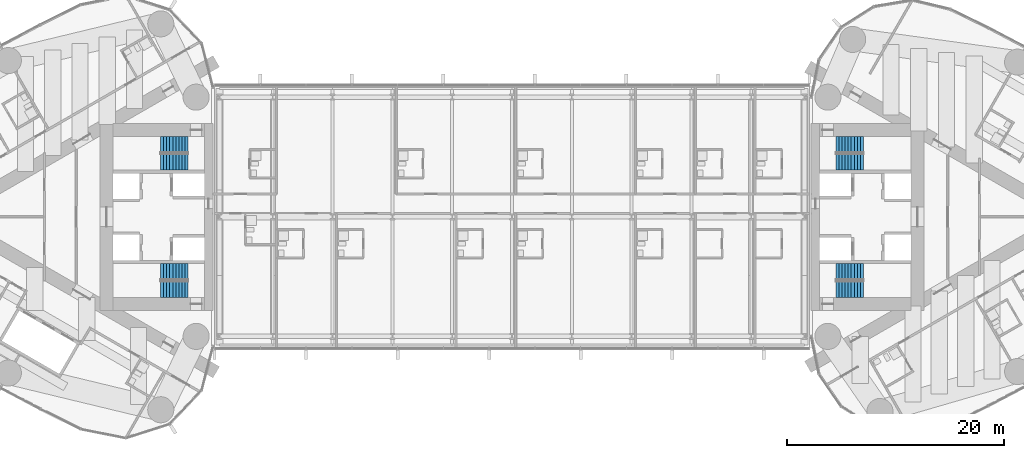
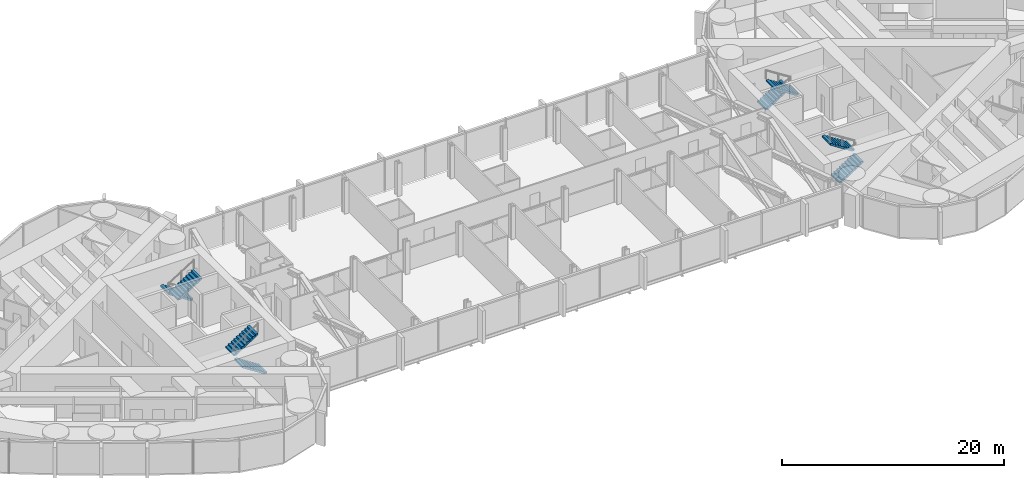
# One storey, part 22 of 24: 8 stair flights, 4 elements without a shape of their own.
"""IFC4 building model written with IfcOpenShell, lengths in metres."""

from ifc_helpers import new_model, si_unit, direction, frame, origin, place, context, subcontext, project, spatial, polyline, outline, extrude, material, type_object, element, aggregate, save


model = new_model("IFC4")

# Units and contexts
model_context = context("Model", 3, precision=1e-05, world=origin(), true_north=direction((0.0, 1.0)))
body_context = subcontext(model_context, "Body", "Model", "MODEL_VIEW")
ifc_project = project(units=[si_unit("LENGTHUNIT", "METRE"), si_unit("AREAUNIT", "SQUARE_METRE"), si_unit("VOLUMEUNIT", "CUBIC_METRE"), si_unit("PLANEANGLEUNIT", "RADIAN"), si_unit("MASSUNIT", "GRAM", prefix="KILO")], contexts=[model_context])

# Site, building, storey
site_placement = place(None, origin())
site = spatial("IfcSite", under=ifc_project, at=site_placement, CompositionType="ELEMENT")
building_placement = place(site_placement, origin())
building = spatial("IfcBuilding", under=site, at=building_placement, Name="Lancet Gate Hotel", CompositionType="ELEMENT")
storey_placement = place(building_placement, frame((0.0, 0.0, 236.89990234375)))
storey = spatial("IfcBuildingStorey", under=building, at=storey_placement, Name="L63", CompositionType="ELEMENT", Elevation=236.89990234375)

# Stair, stair flights
ifc_material_1 = material(Name="Exit stair 20 risers 1500")
stair_type = type_object("IfcStairType", Name="Exit stair 20 risers 1500", PredefinedType="HALF_TURN_STAIR", material=ifc_material_1)
stair_1_placement = place(storey_placement, origin())
stair_1 = element("IfcStair", 1, at=stair_1_placement, inside=storey, type_object=stair_type, Name="T1 stair 1 L63", PredefinedType="HALF_TURN_STAIR")
ifc_material_2 = material(Name="Stair flight 10 risers 180 rise 1500")
stair_flight_type = type_object("IfcStairFlightType", Name="Stair flight 10 risers 180 rise 1500", PredefinedType="STRAIGHT", material=ifc_material_2)
stair_flight_1_placement = place(storey_placement, frame((-29.800048828125, 6.64990234375, 0.0), z_axis=(0.0, 0.0, 1.0), x_axis=(-1.0, 0.0, 0.0)))
stair_flight_1 = element("IfcStairFlight", 2, at=stair_flight_1_placement, type_object=stair_flight_type, Name="ST1 flight 1", NumberOfRisers=10, NumberOfTreads=9, PredefinedType="STRAIGHT", RiserHeight=0.18, TreadLength=0.28, context=body_context, shape_type="SweptSolid", body=[
    extrude(outline(polyline([(0.0, 0.0), (0.0, 0.179931640625), (0.280029296875, 0.179931640625), (0.280029296875, 0.360107421875), (0.56005859375, 0.360107421875), (0.56005859375, 0.5400390625), (0.840087890625, 0.5400390625), (0.840087890625, 0.719970703125), (1.1201171875, 0.719970703125), (1.1201171875, 0.89990234375), (1.39990234375, 0.89990234375), (1.39990234375, 1.080078125), (1.679931640625, 1.080078125), (1.679931640625, 1.260009765625), (1.9599609375, 1.260009765625), (1.9599609375, 1.43994140625), (2.239990234375, 1.43994140625), (2.239990234375, 1.6201171875), (2.52001953125, 1.6201171875), (2.52001953125, 1.800048828125), (2.52001953125, 1.44189453125), (0.277099609375, 0.0), (0.0, 0.0)])), frame((0.0, 0.75, 0.0), z_axis=(0.0, -1.0, 0.0), x_axis=(1.0, 0.0, 0.0)), (0.0, 0.0, 1.0), 1.5),
])
stair_flight_2_placement = place(storey_placement, frame((-32.320068359375, 5.050048828125, 1.800048828125), z_axis=(0.0, 0.0, 1.0), x_axis=(1.0, 0.0, 0.0)))
stair_flight_2 = element("IfcStairFlight", 3, at=stair_flight_2_placement, type_object=stair_flight_type, Name="ST1 flight 2", NumberOfRisers=10, NumberOfTreads=9, PredefinedType="STRAIGHT", RiserHeight=0.18, TreadLength=0.28, context=body_context, shape_type="SweptSolid", body=[
    extrude(outline(polyline([(0.0, 0.0), (0.0, 0.179931640625), (0.280029296875, 0.179931640625), (0.280029296875, 0.360107421875), (0.56005859375, 0.360107421875), (0.56005859375, 0.5400390625), (0.840087890625, 0.5400390625), (0.840087890625, 0.719970703125), (1.1201171875, 0.719970703125), (1.1201171875, 0.89990234375), (1.39990234375, 0.89990234375), (1.39990234375, 1.080078125), (1.679931640625, 1.080078125), (1.679931640625, 1.260009765625), (1.9599609375, 1.260009765625), (1.9599609375, 1.43994140625), (2.239990234375, 1.43994140625), (2.239990234375, 1.6201171875), (2.52001953125, 1.6201171875), (2.52001953125, 1.800048828125), (2.52001953125, 1.44189453125), (0.277099609375, 0.0), (0.0, 0.0)])), frame((0.0, 0.75, 0.0), z_axis=(0.0, -1.0, 0.0), x_axis=(1.0, 0.0, 0.0)), (0.0, 0.0, 1.0), 1.5),
])
aggregate(stair_1, [stair_flight_1, stair_flight_2])

stair_2_placement = place(storey_placement, origin())
stair_2 = element("IfcStair", 4, at=stair_2_placement, inside=storey, type_object=stair_type, Name="T1 stair 2 L63", PredefinedType="HALF_TURN_STAIR")
stair_flight_3_placement = place(storey_placement, frame((-29.800048828125, -6.64990234375, 0.0), z_axis=(0.0, 0.0, 1.0), x_axis=(-1.0, 0.0, 0.0)))
stair_flight_3 = element("IfcStairFlight", 5, at=stair_flight_3_placement, type_object=stair_flight_type, Name="ST2 flight 1", NumberOfRisers=10, NumberOfTreads=9, PredefinedType="STRAIGHT", RiserHeight=0.18, TreadLength=0.28, context=body_context, shape_type="SweptSolid", body=[
    extrude(outline(polyline([(0.0, 0.0), (0.0, 0.179931640625), (0.280029296875, 0.179931640625), (0.280029296875, 0.360107421875), (0.56005859375, 0.360107421875), (0.56005859375, 0.5400390625), (0.840087890625, 0.5400390625), (0.840087890625, 0.719970703125), (1.1201171875, 0.719970703125), (1.1201171875, 0.89990234375), (1.39990234375, 0.89990234375), (1.39990234375, 1.080078125), (1.679931640625, 1.080078125), (1.679931640625, 1.260009765625), (1.9599609375, 1.260009765625), (1.9599609375, 1.43994140625), (2.239990234375, 1.43994140625), (2.239990234375, 1.6201171875), (2.52001953125, 1.6201171875), (2.52001953125, 1.800048828125), (2.52001953125, 1.44189453125), (0.277099609375, 0.0), (0.0, 0.0)])), frame((0.0, 0.75, 0.0), z_axis=(0.0, -1.0, 0.0), x_axis=(1.0, 0.0, 0.0)), (0.0, 0.0, 1.0), 1.5),
])
stair_flight_4_placement = place(storey_placement, frame((-32.320068359375, -5.050048828125, 1.800048828125), z_axis=(0.0, 0.0, 1.0), x_axis=(1.0, 0.0, 0.0)))
stair_flight_4 = element("IfcStairFlight", 6, at=stair_flight_4_placement, type_object=stair_flight_type, Name="ST2 flight 2", NumberOfRisers=10, NumberOfTreads=9, PredefinedType="STRAIGHT", RiserHeight=0.18, TreadLength=0.28, context=body_context, shape_type="SweptSolid", body=[
    extrude(outline(polyline([(0.0, 0.0), (0.0, 0.179931640625), (0.280029296875, 0.179931640625), (0.280029296875, 0.360107421875), (0.56005859375, 0.360107421875), (0.56005859375, 0.5400390625), (0.840087890625, 0.5400390625), (0.840087890625, 0.719970703125), (1.1201171875, 0.719970703125), (1.1201171875, 0.89990234375), (1.39990234375, 0.89990234375), (1.39990234375, 1.080078125), (1.679931640625, 1.080078125), (1.679931640625, 1.260009765625), (1.9599609375, 1.260009765625), (1.9599609375, 1.43994140625), (2.239990234375, 1.43994140625), (2.239990234375, 1.6201171875), (2.52001953125, 1.6201171875), (2.52001953125, 1.800048828125), (2.52001953125, 1.44189453125), (0.277099609375, 0.0), (0.0, 0.0)])), frame((0.0, 0.75, 0.0), z_axis=(0.0, -1.0, 0.0), x_axis=(1.0, 0.0, 0.0)), (0.0, 0.0, 1.0), 1.5),
])
aggregate(stair_2, [stair_flight_3, stair_flight_4])

stair_3_placement = place(storey_placement, origin())
stair_3 = element("IfcStair", 7, at=stair_3_placement, inside=storey, type_object=stair_type, Name="T2 stair 1 L63", PredefinedType="HALF_TURN_STAIR")
stair_flight_5_placement = place(storey_placement, frame((29.800048828125, -6.64990234375, 0.0), z_axis=(0.0, 0.0, 1.0), x_axis=(1.0, 0.0, 0.0)))
stair_flight_5 = element("IfcStairFlight", 8, at=stair_flight_5_placement, type_object=stair_flight_type, Name="ST3 flight 1", NumberOfRisers=10, NumberOfTreads=9, PredefinedType="STRAIGHT", RiserHeight=0.18, TreadLength=0.28, context=body_context, shape_type="SweptSolid", body=[
    extrude(outline(polyline([(0.0, 0.0), (0.0, 0.179931640625), (0.280029296875, 0.179931640625), (0.280029296875, 0.360107421875), (0.56005859375, 0.360107421875), (0.56005859375, 0.5400390625), (0.840087890625, 0.5400390625), (0.840087890625, 0.719970703125), (1.1201171875, 0.719970703125), (1.1201171875, 0.89990234375), (1.39990234375, 0.89990234375), (1.39990234375, 1.080078125), (1.679931640625, 1.080078125), (1.679931640625, 1.260009765625), (1.9599609375, 1.260009765625), (1.9599609375, 1.43994140625), (2.239990234375, 1.43994140625), (2.239990234375, 1.6201171875), (2.52001953125, 1.6201171875), (2.52001953125, 1.800048828125), (2.52001953125, 1.44189453125), (0.277099609375, 0.0), (0.0, 0.0)])), frame((0.0, 0.75, 0.0), z_axis=(0.0, -1.0, 0.0), x_axis=(1.0, 0.0, 0.0)), (0.0, 0.0, 1.0), 1.5),
])
stair_flight_6_placement = place(storey_placement, frame((32.320068359375, -5.050048828125, 1.800048828125), z_axis=(0.0, 0.0, 1.0), x_axis=(-1.0, 0.0, 0.0)))
stair_flight_6 = element("IfcStairFlight", 9, at=stair_flight_6_placement, type_object=stair_flight_type, Name="ST3 flight 2", NumberOfRisers=10, NumberOfTreads=9, PredefinedType="STRAIGHT", RiserHeight=0.18, TreadLength=0.28, context=body_context, shape_type="SweptSolid", body=[
    extrude(outline(polyline([(0.0, 0.0), (0.0, 0.179931640625), (0.280029296875, 0.179931640625), (0.280029296875, 0.360107421875), (0.56005859375, 0.360107421875), (0.56005859375, 0.5400390625), (0.840087890625, 0.5400390625), (0.840087890625, 0.719970703125), (1.1201171875, 0.719970703125), (1.1201171875, 0.89990234375), (1.39990234375, 0.89990234375), (1.39990234375, 1.080078125), (1.679931640625, 1.080078125), (1.679931640625, 1.260009765625), (1.9599609375, 1.260009765625), (1.9599609375, 1.43994140625), (2.239990234375, 1.43994140625), (2.239990234375, 1.6201171875), (2.52001953125, 1.6201171875), (2.52001953125, 1.800048828125), (2.52001953125, 1.44189453125), (0.277099609375, 0.0), (0.0, 0.0)])), frame((0.0, 0.75, 0.0), z_axis=(0.0, -1.0, 0.0), x_axis=(1.0, 0.0, 0.0)), (0.0, 0.0, 1.0), 1.5),
])
aggregate(stair_3, [stair_flight_5, stair_flight_6])

stair_4_placement = place(storey_placement, origin())
stair_4 = element("IfcStair", 10, at=stair_4_placement, inside=storey, type_object=stair_type, Name="T2 stair 2 L63", PredefinedType="HALF_TURN_STAIR")
stair_flight_7_placement = place(storey_placement, frame((29.800048828125, 6.64990234375, 0.0), z_axis=(0.0, 0.0, 1.0), x_axis=(1.0, 0.0, 0.0)))
stair_flight_7 = element("IfcStairFlight", 11, at=stair_flight_7_placement, type_object=stair_flight_type, Name="ST4 flight 1", NumberOfRisers=10, NumberOfTreads=9, PredefinedType="STRAIGHT", RiserHeight=0.18, TreadLength=0.28, context=body_context, shape_type="SweptSolid", body=[
    extrude(outline(polyline([(0.0, 0.0), (0.0, 0.179931640625), (0.280029296875, 0.179931640625), (0.280029296875, 0.360107421875), (0.56005859375, 0.360107421875), (0.56005859375, 0.5400390625), (0.840087890625, 0.5400390625), (0.840087890625, 0.719970703125), (1.1201171875, 0.719970703125), (1.1201171875, 0.89990234375), (1.39990234375, 0.89990234375), (1.39990234375, 1.080078125), (1.679931640625, 1.080078125), (1.679931640625, 1.260009765625), (1.9599609375, 1.260009765625), (1.9599609375, 1.43994140625), (2.239990234375, 1.43994140625), (2.239990234375, 1.6201171875), (2.52001953125, 1.6201171875), (2.52001953125, 1.800048828125), (2.52001953125, 1.44189453125), (0.277099609375, 0.0), (0.0, 0.0)])), frame((0.0, 0.75, 0.0), z_axis=(0.0, -1.0, 0.0), x_axis=(1.0, 0.0, 0.0)), (0.0, 0.0, 1.0), 1.5),
])
stair_flight_8_placement = place(storey_placement, frame((32.320068359375, 5.050048828125, 1.800048828125), z_axis=(0.0, 0.0, 1.0), x_axis=(-1.0, 0.0, 0.0)))
stair_flight_8 = element("IfcStairFlight", 12, at=stair_flight_8_placement, type_object=stair_flight_type, Name="ST4 flight 2", NumberOfRisers=10, NumberOfTreads=9, PredefinedType="STRAIGHT", RiserHeight=0.18, TreadLength=0.28, context=body_context, shape_type="SweptSolid", body=[
    extrude(outline(polyline([(0.0, 0.0), (0.0, 0.179931640625), (0.280029296875, 0.179931640625), (0.280029296875, 0.360107421875), (0.56005859375, 0.360107421875), (0.56005859375, 0.5400390625), (0.840087890625, 0.5400390625), (0.840087890625, 0.719970703125), (1.1201171875, 0.719970703125), (1.1201171875, 0.89990234375), (1.39990234375, 0.89990234375), (1.39990234375, 1.080078125), (1.679931640625, 1.080078125), (1.679931640625, 1.260009765625), (1.9599609375, 1.260009765625), (1.9599609375, 1.43994140625), (2.239990234375, 1.43994140625), (2.239990234375, 1.6201171875), (2.52001953125, 1.6201171875), (2.52001953125, 1.800048828125), (2.52001953125, 1.44189453125), (0.277099609375, 0.0), (0.0, 0.0)])), frame((0.0, 0.75, 0.0), z_axis=(0.0, -1.0, 0.0), x_axis=(1.0, 0.0, 0.0)), (0.0, 0.0, 1.0), 1.5),
])
aggregate(stair_4, [stair_flight_7, stair_flight_8])

save(model, "model.ifc")
